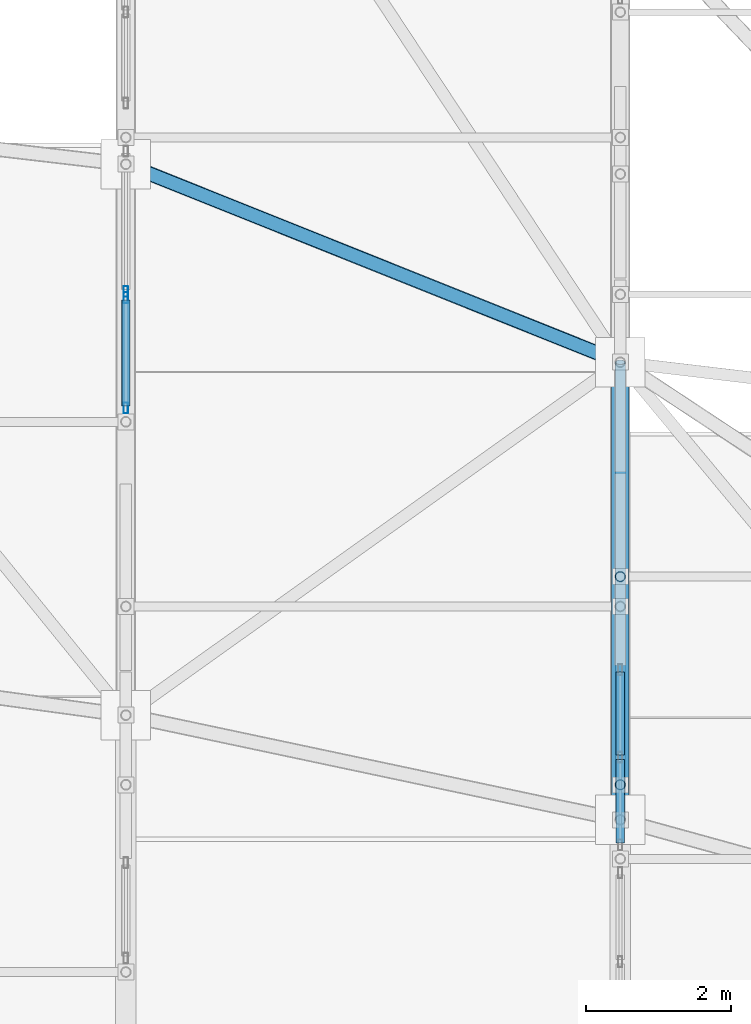
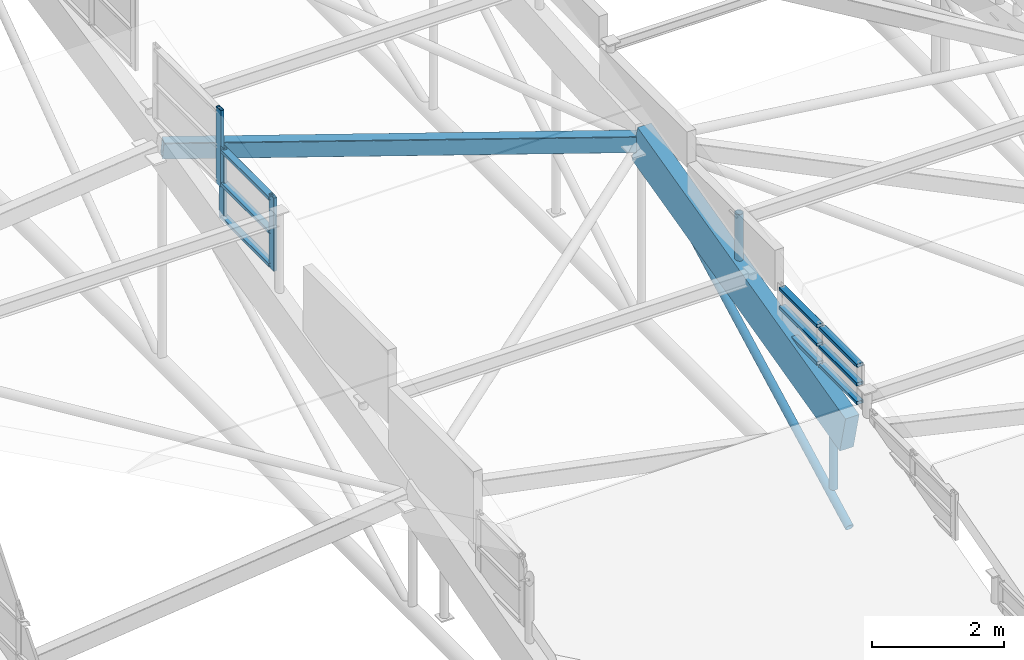
# One storey, part 9 of 188: 17 members, 3 elements without a shape of their own.
"""IFC4 building model written with IfcOpenShell, lengths in metres."""

from ifc_helpers import new_model, si_unit, direction, frame, origin, origin_2d, place, context, subcontext, project, spatial, rectangle, hollow_rectangle, hollow_circle, extrude, material, layer, layer_set, material_profile, profile_set, type_object, element, aggregate, save


model = new_model("IFC4")

# Units and contexts
model_context = context("Model", 3, precision=1e-05, world=origin(), true_north=direction((0.0, 1.0)))
body_context = subcontext(model_context, "Body", "Model", "MODEL_VIEW")
ifc_project = project(units=[si_unit("LENGTHUNIT", "METRE"), si_unit("AREAUNIT", "SQUARE_METRE"), si_unit("VOLUMEUNIT", "CUBIC_METRE"), si_unit("PLANEANGLEUNIT", "RADIAN"), si_unit("MASSUNIT", "GRAM", prefix="KILO")], contexts=[model_context])

# Site, building, storey
site_placement = place(None, origin())
site = spatial("IfcSite", under=ifc_project, at=site_placement, CompositionType="ELEMENT")
building_placement = place(site_placement, origin())
building = spatial("IfcBuilding", under=site, at=building_placement, Name="Kisaragi Civic Commons", CompositionType="ELEMENT")
storey_placement = place(building_placement, frame((0.0, 0.0, 9.60009765625)))
storey = spatial("IfcBuildingStorey", under=building, at=storey_placement, Name="L02", CompositionType="ELEMENT", Elevation=9.60009765625)

# Curtain wall, members
ifc_material_1 = material(Name="Thermally broken anodized aluminium and low-E double glazing", Category="aluminium")
ifc_layer = layer(ifc_material_1, 0.14990234375, Name="Thermally broken anodized aluminium and low-E double glazing", Category="aluminium")
ifc_layer_set = layer_set([ifc_layer], Name="Thermally broken anodized aluminium and low-E double glazing")
curtain_wall_type = type_object("IfcCurtainWallType", Name="CW-03", PredefinedType="NOTDEFINED", material=ifc_layer_set)
curtain_wall_1_placement = place(storey_placement, origin())
curtain_wall_1 = element("IfcCurtainWall", 1, at=curtain_wall_1_placement, inside=storey, type_object=curtain_wall_type, Name="L02 curtain wall CW-03 CW-CL-V1-155", PredefinedType="NOTDEFINED")
ifc_material_profile_1 = material_profile(ifc_material_1, hollow_rectangle(XDim=0.06005859375, YDim=0.14990234375, WallThickness=0.00390625, InnerFilletRadius=0.00390625, OuterFilletRadius=0.008056640625, at=origin_2d()), Name="CWM-60x150x4", Category="aluminium")
ifc_profile_set_1 = profile_set([ifc_material_profile_1], Name="Thermally broken anodized aluminium and low-E double glazing")
member_type_1 = type_object("IfcMemberType", Name="CWM-01", PredefinedType="MULLION", material=ifc_profile_set_1)
member_1_placement = place(storey_placement, frame((20.39990234375, 13.581787109375, 3.267822265625), z_axis=(0.0, 0.0, 1.0), x_axis=(-1.0, 0.0, 0.0)))
member_1 = element("IfcMember", 2, at=member_1_placement, type_object=member_type_1, Name="CW-03 mullion 1", PredefinedType="MULLION", context=body_context, shape_type="SweptSolid", body=[
    extrude(hollow_rectangle(XDim=0.06005859375, YDim=0.14990234375, WallThickness=0.00390625, InnerFilletRadius=0.00390625, OuterFilletRadius=0.008056640625, at=origin_2d()), origin(), (0.0, 0.0, 1.0), 1.349365234375),
])
member_2_placement = place(storey_placement, frame((20.39990234375, 15.099609375, 3.267822265625), z_axis=(0.0, 0.0, 1.0), x_axis=(-1.0, 0.0, 0.0)))
member_2 = element("IfcMember", 3, at=member_2_placement, type_object=member_type_1, Name="CW-03 mullion 2", PredefinedType="MULLION", context=body_context, shape_type="SweptSolid", body=[
    extrude(hollow_rectangle(XDim=0.06005859375, YDim=0.14990234375, WallThickness=0.00390625, InnerFilletRadius=0.00390625, OuterFilletRadius=0.008056640625, at=origin_2d()), origin(), (0.0, 0.0, 1.0), 1.349365234375),
])

# Curtain wall, member
curtain_wall_2_placement = place(storey_placement, origin())
curtain_wall_2 = element("IfcCurtainWall", 4, at=curtain_wall_2_placement, inside=storey, type_object=curtain_wall_type, Name="L02 curtain wall CW-03 CW-CL-V1-156", PredefinedType="NOTDEFINED")
member_3_placement = place(storey_placement, frame((20.39990234375, 15.18359375, 3.848388671875), z_axis=(0.0, 0.0, 1.0), x_axis=(-1.0, 0.0, 0.0)))
member_3 = element("IfcMember", 5, at=member_3_placement, type_object=member_type_1, Name="CW-03 mullion 1", PredefinedType="MULLION", context=body_context, shape_type="SweptSolid", body=[
    extrude(hollow_rectangle(XDim=0.06005859375, YDim=0.14990234375, WallThickness=0.00390625, InnerFilletRadius=0.00390625, OuterFilletRadius=0.008056640625, at=origin_2d()), origin(), (0.0, 0.0, 1.0), 1.41455078125),
])
aggregate(curtain_wall_2, [member_3])

# Member
ifc_material_profile_2 = material_profile(ifc_material_1, hollow_rectangle(XDim=0.1201171875, YDim=0.06005859375, WallThickness=0.00390625, InnerFilletRadius=0.00390625, OuterFilletRadius=0.008056640625, at=origin_2d()), Name="CWT-60x120x4", Category="aluminium")
ifc_profile_set_2 = profile_set([ifc_material_profile_2], Name="Thermally broken anodized aluminium and low-E double glazing")
member_type_2 = type_object("IfcMemberType", Name="CWT-01", PredefinedType="USERDEFINED", material=ifc_profile_set_2)
member_4_placement = place(storey_placement, frame((20.39990234375, 13.61181640625, 3.32763671875), z_axis=(0.0, 1.0, 0.0), x_axis=(-1.0, 0.0, 0.0)))
member_4 = element("IfcMember", 6, at=member_4_placement, type_object=member_type_2, Name="CW-03 transom 1.1", ObjectType="TRANSOM", PredefinedType="USERDEFINED", context=body_context, shape_type="SweptSolid", body=[
    extrude(hollow_rectangle(XDim=0.1201171875, YDim=0.06005859375, WallThickness=0.00390625, InnerFilletRadius=0.00390625, OuterFilletRadius=0.008056640625, at=origin_2d()), origin(), (0.0, 0.0, 1.0), 1.457763671875),
])

member_5_placement = place(storey_placement, frame((20.39990234375, 13.61181640625, 3.9423828125), z_axis=(0.0, 1.0, 0.0), x_axis=(-1.0, 0.0, 0.0)))
member_5 = element("IfcMember", 7, at=member_5_placement, type_object=member_type_2, Name="CW-03 transom 1.2", ObjectType="TRANSOM", PredefinedType="USERDEFINED", context=body_context, shape_type="SweptSolid", body=[
    extrude(hollow_rectangle(XDim=0.1201171875, YDim=0.06005859375, WallThickness=0.00390625, InnerFilletRadius=0.00390625, OuterFilletRadius=0.008056640625, at=origin_2d()), origin(), (0.0, 0.0, 1.0), 1.457763671875),
])

member_6_placement = place(storey_placement, frame((20.39990234375, 13.61181640625, 4.55712890625), z_axis=(0.0, 1.0, 0.0), x_axis=(-1.0, 0.0, 0.0)))
member_6 = element("IfcMember", 8, at=member_6_placement, type_object=member_type_2, Name="CW-03 transom 1.3", ObjectType="TRANSOM", PredefinedType="USERDEFINED", context=body_context, shape_type="SweptSolid", body=[
    extrude(hollow_rectangle(XDim=0.1201171875, YDim=0.06005859375, WallThickness=0.00390625, InnerFilletRadius=0.00390625, OuterFilletRadius=0.008056640625, at=origin_2d()), origin(), (0.0, 0.0, 1.0), 1.457763671875),
])

aggregate(curtain_wall_1, [member_1, member_2, member_4, member_5, member_6])

# Curtain wall, members
curtain_wall_3_placement = place(storey_placement, origin())
curtain_wall_3 = element("IfcCurtainWall", 9, at=curtain_wall_3_placement, inside=storey, type_object=curtain_wall_type, Name="L02 curtain wall CW-03 CW-CL-V1-166", PredefinedType="NOTDEFINED")
member_7_placement = place(storey_placement, frame((27.199951171875, 7.600830078125, 2.042724609375), z_axis=(0.0, 1.0, 0.0), x_axis=(-1.0, 0.0, 0.0)))
member_7 = element("IfcMember", 10, at=member_7_placement, type_object=member_type_2, Name="CW-03 transom 1.1", ObjectType="TRANSOM", PredefinedType="USERDEFINED", context=body_context, shape_type="SweptSolid", body=[
    extrude(hollow_rectangle(XDim=0.1201171875, YDim=0.06005859375, WallThickness=0.00390625, InnerFilletRadius=0.00390625, OuterFilletRadius=0.008056640625, at=origin_2d()), origin(), (0.0, 0.0, 1.0), 1.146484375),
])
member_8_placement = place(storey_placement, frame((27.199951171875, 7.600830078125, 2.386962890625), z_axis=(0.0, 1.0, 0.0), x_axis=(-1.0, 0.0, 0.0)))
member_8 = element("IfcMember", 11, at=member_8_placement, type_object=member_type_2, Name="CW-03 transom 1.2", ObjectType="TRANSOM", PredefinedType="USERDEFINED", context=body_context, shape_type="SweptSolid", body=[
    extrude(hollow_rectangle(XDim=0.1201171875, YDim=0.06005859375, WallThickness=0.00390625, InnerFilletRadius=0.00390625, OuterFilletRadius=0.008056640625, at=origin_2d()), origin(), (0.0, 0.0, 1.0), 1.146484375),
])
member_9_placement = place(storey_placement, frame((27.199951171875, 7.600830078125, 2.73095703125), z_axis=(0.0, 1.0, 0.0), x_axis=(-1.0, 0.0, 0.0)))
member_9 = element("IfcMember", 12, at=member_9_placement, type_object=member_type_2, Name="CW-03 transom 1.3", ObjectType="TRANSOM", PredefinedType="USERDEFINED", context=body_context, shape_type="SweptSolid", body=[
    extrude(hollow_rectangle(XDim=0.1201171875, YDim=0.06005859375, WallThickness=0.00390625, InnerFilletRadius=0.00390625, OuterFilletRadius=0.008056640625, at=origin_2d()), origin(), (0.0, 0.0, 1.0), 1.146484375),
])
member_10_placement = place(storey_placement, frame((27.199951171875, 8.80712890625, 2.042724609375), z_axis=(0.0, 1.0, 0.0), x_axis=(-1.0, 0.0, 0.0)))
member_10 = element("IfcMember", 13, at=member_10_placement, type_object=member_type_2, Name="CW-03 transom 2.1", ObjectType="TRANSOM", PredefinedType="USERDEFINED", context=body_context, shape_type="SweptSolid", body=[
    extrude(hollow_rectangle(XDim=0.1201171875, YDim=0.06005859375, WallThickness=0.00390625, InnerFilletRadius=0.00390625, OuterFilletRadius=0.008056640625, at=origin_2d()), origin(), (0.0, 0.0, 1.0), 1.146484375),
])
member_11_placement = place(storey_placement, frame((27.199951171875, 8.80712890625, 2.386962890625), z_axis=(0.0, 1.0, 0.0), x_axis=(-1.0, 0.0, 0.0)))
member_11 = element("IfcMember", 14, at=member_11_placement, type_object=member_type_2, Name="CW-03 transom 2.2", ObjectType="TRANSOM", PredefinedType="USERDEFINED", context=body_context, shape_type="SweptSolid", body=[
    extrude(hollow_rectangle(XDim=0.1201171875, YDim=0.06005859375, WallThickness=0.00390625, InnerFilletRadius=0.00390625, OuterFilletRadius=0.008056640625, at=origin_2d()), origin(), (0.0, 0.0, 1.0), 1.146484375),
])
member_12_placement = place(storey_placement, frame((27.199951171875, 8.80712890625, 2.73095703125), z_axis=(0.0, 1.0, 0.0), x_axis=(-1.0, 0.0, 0.0)))
member_12 = element("IfcMember", 15, at=member_12_placement, type_object=member_type_2, Name="CW-03 transom 2.3", ObjectType="TRANSOM", PredefinedType="USERDEFINED", context=body_context, shape_type="SweptSolid", body=[
    extrude(hollow_rectangle(XDim=0.1201171875, YDim=0.06005859375, WallThickness=0.00390625, InnerFilletRadius=0.00390625, OuterFilletRadius=0.008056640625, at=origin_2d()), origin(), (0.0, 0.0, 1.0), 1.146484375),
])
aggregate(curtain_wall_3, [member_7, member_8, member_9, member_10, member_11, member_12])

# Members
ifc_material_2 = material(Name="Steel SN490 (SN490B)", Category="steel")
ifc_material_profile_3 = material_profile(ifc_material_2, hollow_rectangle(XDim=0.199951171875, YDim=0.300048828125, WallThickness=0.009033203125, InnerFilletRadius=0.009033203125, OuterFilletRadius=0.01806640625, at=origin_2d()), Name="STKR-300x200x9", Category="steel")
ifc_profile_set_3 = profile_set([ifc_material_profile_3], Name="Steel SN490 (SN490B)")
member_type_3 = type_object("IfcMemberType", Name="GC-02", PredefinedType="CHORD", material=ifc_profile_set_3)
member_13_placement = place(storey_placement, frame((20.39990234375, 16.93505859375, 3.464599609375), z_axis=(0.925121156723, -0.370540036061, -0.082770327166), x_axis=(0.371815866663, 0.928306501807, 0.0)))
element("IfcMember", 16, at=member_13_placement, inside=storey, type_object=member_type_3, Name="V1 wave gridshell chord GC-02 23", PredefinedType="CHORD", context=body_context, shape_type="SweptSolid", body=[
    extrude(hollow_rectangle(XDim=0.199951171875, YDim=0.300048828125, WallThickness=0.009033203125, InnerFilletRadius=0.009033203125, OuterFilletRadius=0.01806640625, at=origin_2d()), origin(), (0.0, 0.0, 1.0), 7.350341796875),
])
ifc_material_3 = material(Name="Glulam E120-F330", Category="wood")
ifc_material_profile_4 = material_profile(ifc_material_3, rectangle(XDim=0.239990234375, YDim=0.719970703125, at=origin_2d()), Name="GL-240x720", Category="wood")
ifc_profile_set_4 = profile_set([ifc_material_profile_4], Name="Glulam E120-F330")
member_type_4 = type_object("IfcMemberType", Name="GR-02", PredefinedType="RAFTER", material=ifc_profile_set_4)
member_14_placement = place(storey_placement, frame((27.199951171875, 7.9169921875, 1.28662109375), z_axis=(0.0, 0.970288433877, 0.241951141936), x_axis=(-1.0, 0.0, 0.0)))
element("IfcMember", 17, at=member_14_placement, inside=storey, type_object=member_type_4, Name="V1 glulam arch rib GR-02 34", PredefinedType="RAFTER", context=body_context, shape_type="SweptSolid", body=[
    extrude(rectangle(XDim=0.239990234375, YDim=0.719970703125, at=origin_2d()), origin(), (0.0, 0.0, 1.0), 6.487060546875),
])
ifc_material_profile_5 = material_profile(ifc_material_2, hollow_circle(Radius=0.06982421875, WallThickness=0.006103515625, at=origin_2d()), Name="CHS-139.8x6.0", Category="steel")
ifc_profile_set_5 = profile_set([ifc_material_profile_5], Name="Steel SN490 (SN490B)")
member_type_5 = type_object("IfcMemberType", Name="ST-H1", PredefinedType="STRUT", material=ifc_profile_set_5)
member_15_placement = place(storey_placement, frame((27.199951171875, 7.9169921875, -0.458984375), z_axis=(0.0, 0.884783444888, 0.466002420221), x_axis=(-1.0, 0.0, 0.0)))
element("IfcMember", 18, at=member_15_placement, inside=storey, type_object=member_type_5, Name="V1 tied arch truss diagonal web strut 63", PredefinedType="STRUT", context=body_context, shape_type="SweptSolid", body=[
    extrude(hollow_circle(Radius=0.06982421875, WallThickness=0.006103515625, at=origin_2d()), origin(), (0.0, 0.0, 1.0), 7.114013671875),
])
member_16_placement = place(storey_placement, frame((27.199951171875, 8.39990234375, -0.02001953125), z_axis=(0.0, 0.0, 1.0), x_axis=(1.0, 0.0, 0.0)))
element("IfcMember", 19, at=member_16_placement, inside=storey, type_object=member_type_5, Name="V1 interior column arch support post (27.2,8.4)", PredefinedType="STRUT", context=body_context, shape_type="SweptSolid", body=[
    extrude(hollow_circle(Radius=0.06982421875, WallThickness=0.006103515625, at=origin_2d()), origin(), (0.0, 0.0, 1.0), 1.427001953125),
])
member_17_placement = place(storey_placement, frame((27.199951171875, 11.262451171875, 2.120849609375), z_axis=(0.0, 0.0, 1.0), x_axis=(1.0, 0.0, 0.0)))
element("IfcMember", 20, at=member_17_placement, inside=storey, type_object=member_type_5, Name="V1 clerestory monitor horizontal tie strut 5.4.3", PredefinedType="STRUT", context=body_context, shape_type="SweptSolid", body=[
    extrude(hollow_circle(Radius=0.06982421875, WallThickness=0.006103515625, at=origin_2d()), origin(), (0.0, 0.0, 1.0), 1.2138671875),
])

save(model, "model.ifc")
